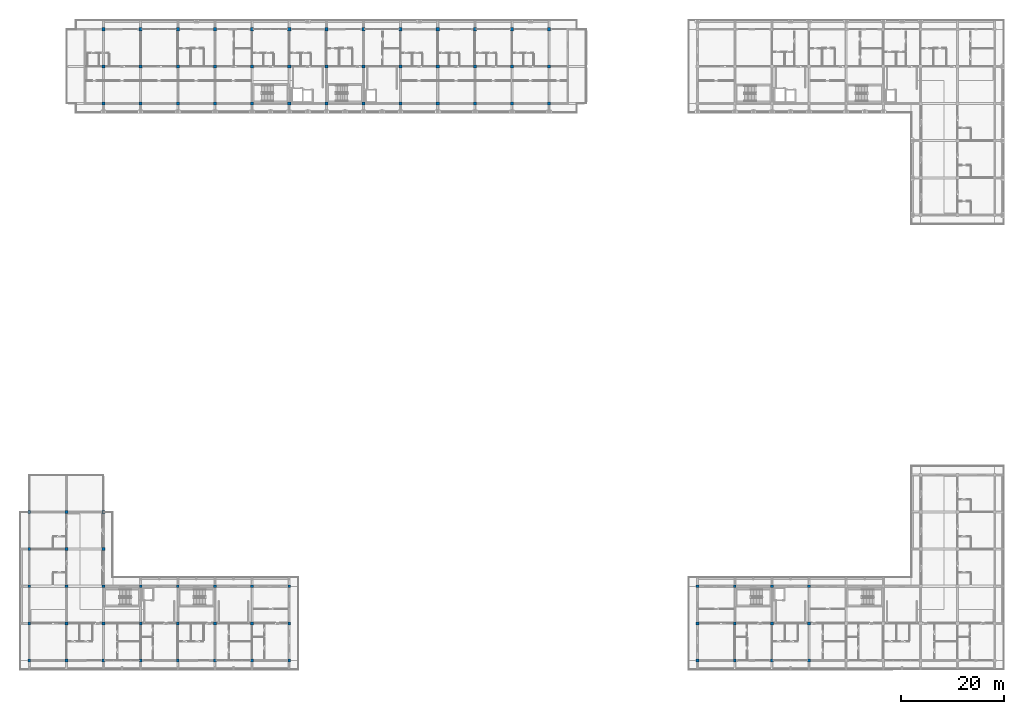
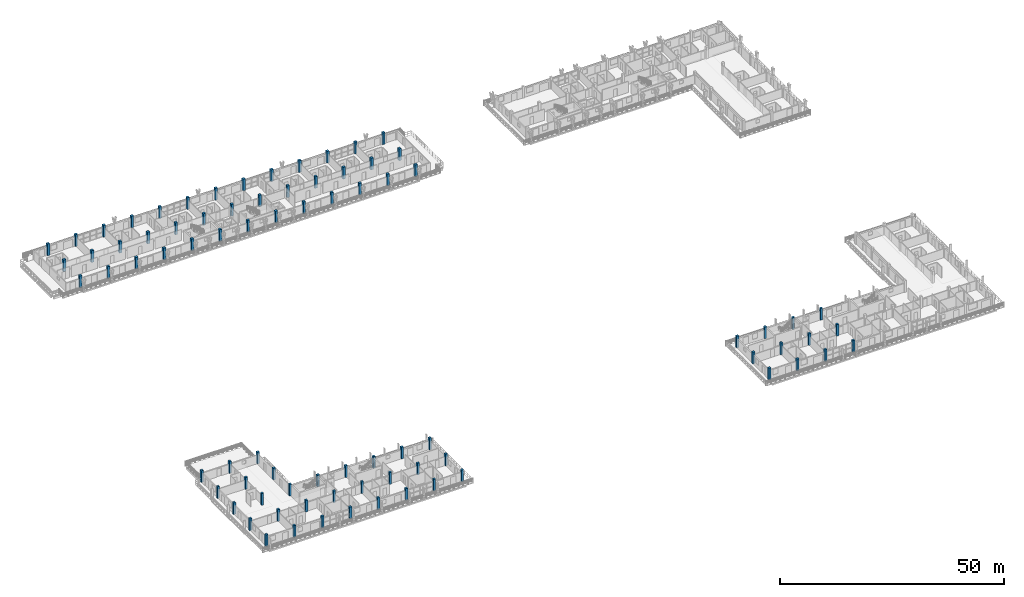
# One storey, part 1 of 67: 81 columns.
"""IFC4 building model written with IfcOpenShell, lengths in metres."""

import ifcopenshell
import ifcopenshell.guid

model = None  # the IFC model being written
_history = None  # IfcOwnerHistory: only IFC2X3 demands one
_inside = {}  # id of a spatial element -> (the spatial element, [elements in it])
_under = {}  # id of a project, library or spatial element -> (it, [spatial elements below it])
_declared = {}  # id of a project -> (the project, [libraries it declares])
_typed = {}  # id of a type object -> (the type object, [elements of that type])
_made_of = {}  # id of a material, layer set ... -> (it, [elements and type objects made of it])


def new_model(schema):
    """Start an empty IFC model of exactly this schema.

    Asked for "IFC4X3", IfcOpenShell would pick the latest addendum, in which some entities
    have other attributes; the version numbers below select the first issue.
    IFC2X3 requires an IfcOwnerHistory on every rooted entity: one is made here for all.
    """
    global model, _history
    if schema == "IFC4X3":
        model = ifcopenshell.file(schema_version=(4, 3, 0, 0))
    else:
        model = ifcopenshell.file(schema=schema)
    _inside.clear()
    _under.clear()
    _declared.clear()
    _typed.clear()
    _made_of.clear()
    _history = None
    if model.schema == "IFC2X3":
        org = make("IfcOrganization", Name="unknown")
        user = make(
            "IfcPersonAndOrganization",
            ThePerson=make("IfcPerson", FamilyName="unknown"),
            TheOrganization=org,
        )
        app = make(
            "IfcApplication",
            ApplicationDeveloper=org,
            Version="unknown",
            ApplicationFullName="unknown",
            ApplicationIdentifier="unknown",
        )
        _history = make(
            "IfcOwnerHistory",
            OwningUser=user,
            OwningApplication=app,
            ChangeAction="ADDED",
            CreationDate=0,
        )
    return model


def make(cls, **values):
    """One entity of the class cls with the attributes given. An attribute that is None is left unset."""
    return model.create_entity(
        cls, **{name: value for name, value in values.items() if value is not None}
    )


def rooted(cls, **values):
    """An entity with a GlobalId (a new one), such as an element, a storey or a relation."""
    return make(cls, GlobalId=ifcopenshell.guid.new(), OwnerHistory=_history, **values)


def si_unit(unit_type, name, prefix=None):
    """IfcSIUnit, for example si_unit("LENGTHUNIT", "METRE", prefix="MILLI")."""
    return make("IfcSIUnit", UnitType=unit_type, Prefix=prefix, Name=name)


def assignment(units):
    """IfcUnitAssignment: the units of a project."""
    return None if units is None else make("IfcUnitAssignment", Units=units)


def point(xyz):
    """IfcCartesianPoint."""
    return None if xyz is None else make("IfcCartesianPoint", Coordinates=xyz)


def direction(xyz):
    """IfcDirection."""
    return None if xyz is None else make("IfcDirection", DirectionRatios=xyz)


def frame(location, z_axis=None, x_axis=None):
    """IfcAxis2Placement3D, a coordinate frame: its origin and axes. An axis left out is left unset."""
    return make(
        "IfcAxis2Placement3D",
        Location=point(location),
        Axis=direction(z_axis),
        RefDirection=direction(x_axis),
    )


def frame_2d(location, x_axis=None):
    """IfcAxis2Placement2D, a coordinate frame in the plane: its origin and x axis."""
    return make(
        "IfcAxis2Placement2D", Location=point(location), RefDirection=direction(x_axis)
    )


def origin():
    """The frame at (0, 0, 0) with its axes left unset."""
    return frame((0.0, 0.0, 0.0))


def origin_2d():
    """The frame at (0, 0) in the plane with its x axis left unset."""
    return frame_2d((0.0, 0.0))


def place(relative_to, where):
    """IfcLocalPlacement: puts the frame where relative to a parent placement (None: the world)."""
    return make(
        "IfcLocalPlacement", PlacementRelTo=relative_to, RelativePlacement=where
    )


def context(
    kind, dimensions, precision=None, world=None, true_north=None, identifier=None
):
    """IfcGeometricRepresentationContext, for example the 3D "Model" context."""
    return make(
        "IfcGeometricRepresentationContext",
        ContextIdentifier=identifier,
        ContextType=kind,
        CoordinateSpaceDimension=dimensions,
        Precision=precision,
        WorldCoordinateSystem=world,
        TrueNorth=true_north,
    )


def subcontext(parent, identifier, kind, view, scale=None):
    """IfcGeometricRepresentationSubContext, for example "Body" below "Model"."""
    return make(
        "IfcGeometricRepresentationSubContext",
        ContextIdentifier=identifier,
        ContextType=kind,
        ParentContext=parent,
        TargetScale=scale,
        TargetView=view,
    )


def project(units=None, contexts=None):
    """IfcProject with its units and contexts."""
    return rooted(
        "IfcProject",
        Name="project",
        RepresentationContexts=contexts,
        UnitsInContext=assignment(units),
    )


def spatial(cls, under=None, at=None, **own):
    """A site, building, storey or space (cls), placed at a placement, below another one or the project."""
    s = rooted(cls, ObjectPlacement=at, **own)
    if under is not None:
        _under.setdefault(under.id(), (under, []))[1].append(s)
    return s


def profile(cls, at=None, kind="AREA", **sizes):
    """A parametric profile (cls). Its sizes go by their IFC names, for example OverallWidth=200.0."""
    return make(cls, ProfileType=kind, Position=at, **sizes)


def rectangle(**sizes):
    """IfcRectangleProfileDef."""
    return profile("IfcRectangleProfileDef", **sizes)


def extrude(swept, where, along, depth):
    """IfcExtrudedAreaSolid: the profile swept, set in the frame where, extruded along a direction by depth."""
    return make(
        "IfcExtrudedAreaSolid",
        SweptArea=swept,
        Position=where,
        ExtrudedDirection=direction(along),
        Depth=depth,
    )


def shape(context_of_items, identifier, shape_type, items):
    """IfcShapeRepresentation: the items that make up one representation, for example the "Body"."""
    return make(
        "IfcShapeRepresentation",
        ContextOfItems=context_of_items,
        RepresentationIdentifier=identifier,
        RepresentationType=shape_type,
        Items=items,
    )


def material(Name=None, Category=None):
    """IfcMaterial."""
    return make("IfcMaterial", Name=Name, Category=Category)


def material_profile(
    of_material, cross_section, Name=None, Category=None, Priority=None
):
    """IfcMaterialProfile: a cross section and its material."""
    return make(
        "IfcMaterialProfile",
        Name=Name,
        Material=of_material,
        Profile=cross_section,
        Priority=Priority,
        Category=Category,
    )


def profile_set(profiles, Name=None, composite=None):
    """IfcMaterialProfileSet."""
    return make(
        "IfcMaterialProfileSet",
        Name=Name,
        MaterialProfiles=profiles,
        CompositeProfile=composite,
    )


def made_of(thing, what):
    """Note that an element or type object is made of a material, layer set ...; save() writes the relation."""
    if what is not None:
        _made_of.setdefault(what.id(), (what, []))[1].append(thing)
    return thing


def type_object(cls, material=None, **own):
    """A type object (cls), such as IfcWallType, which elements share."""
    return made_of(rooted(cls, **own), material)


def element(
    cls,
    number,
    at=None,
    inside=None,
    cuts=None,
    type_object=None,
    material=None,
    context=None,
    identifier="Body",
    shape_type=None,
    held_by="IfcProductDefinitionShape",
    body=None,
    shapes=None,
    **own,
):
    """One element of the class cls, such as IfcWall. Its Tag is "e" and its number.

    at: its placement. inside: the storey or other place that contains it. cuts: it is an
    opening in that element (IfcRelVoidsElement). A single representation is given by context,
    identifier, shape_type and body (its items); several are given by shapes. held_by: the class
    of the entity that holds the representations. save() writes the other relations.
    """
    e = rooted(cls, Tag="e%d" % number, ObjectPlacement=at, **own)
    if body is not None:
        shapes = [shape(context, identifier, shape_type, body)]
    if shapes is not None:
        e.Representation = make(held_by, Representations=shapes)
    if inside is not None:
        _inside.setdefault(inside.id(), (inside, []))[1].append(e)
    if cuts is not None:
        rooted(
            "IfcRelVoidsElement", RelatingBuildingElement=cuts, RelatedOpeningElement=e
        )
    if type_object is not None:
        _typed.setdefault(type_object.id(), (type_object, []))[1].append(e)
    return made_of(e, material)


def aggregate(whole, parts):
    """IfcRelAggregates: a whole, such as a stair, and the parts it consists of."""
    return rooted("IfcRelAggregates", RelatingObject=whole, RelatedObjects=parts)


def save(model, path):
    """Write the relations noted so far, then the file.

    IfcRelAggregates (storeys below a building ...), IfcRelContainedInSpatialStructure (elements
    in a storey), IfcRelDefinesByType, IfcRelAssociatesMaterial and IfcRelDeclares: one each for
    every whole, place, type object, material and project.
    """
    for whole, parts in _under.values():
        aggregate(whole, parts)
    for where, things in _inside.values():
        rooted(
            "IfcRelContainedInSpatialStructure",
            RelatedElements=things,
            RelatingStructure=where,
        )
    for kind, things in _typed.values():
        rooted("IfcRelDefinesByType", RelatedObjects=things, RelatingType=kind)
    for what, things in _made_of.values():
        rooted("IfcRelAssociatesMaterial", RelatedObjects=things, RelatingMaterial=what)
    for by, libraries in _declared.values():
        rooted("IfcRelDeclares", RelatingContext=by, RelatedDefinitions=libraries)
    model.write(path)


model = new_model("IFC4")

# Units and contexts
model_context = context("Model", 3, precision=1e-05, world=origin(), true_north=direction((0.0, 1.0)))
body_context = subcontext(model_context, "Body", "Model", "MODEL_VIEW")
ifc_project = project(units=[si_unit("LENGTHUNIT", "METRE"), si_unit("AREAUNIT", "SQUARE_METRE"), si_unit("VOLUMEUNIT", "CUBIC_METRE"), si_unit("PLANEANGLEUNIT", "RADIAN"), si_unit("MASSUNIT", "GRAM", prefix="KILO")], contexts=[model_context])

# Site, building, storey
site_placement = place(None, origin())
site = spatial("IfcSite", under=ifc_project, at=site_placement, CompositionType="ELEMENT")
building_placement = place(site_placement, origin())
building = spatial("IfcBuilding", under=site, at=building_placement, Name="Suanplinth Sawtooth Commons", CompositionType="ELEMENT")
storey_placement = place(building_placement, frame((0.0, 0.0, 25.10009765625)))
storey = spatial("IfcBuildingStorey", under=building, at=storey_placement, Name="L07", CompositionType="ELEMENT", Elevation=25.10009765625)

# Columns
ifc_material = material(Name="Precast concrete C40/50", Category="concrete")
ifc_material_profile_1 = material_profile(ifc_material, rectangle(XDim=0.60009765625, YDim=0.60009765625, at=origin_2d()), Name="PC-COL 600x600")
ifc_profile_set_1 = profile_set([ifc_material_profile_1], Name="Precast concrete C40/50")
column_type_1 = type_object("IfcColumnType", Name="C-04", PredefinedType="COLUMN", material=ifc_profile_set_1)
for number, where, z_axis, x_axis, name in (
    (1, (14.39990234375, 108.0, 0.0), (0.0, 0.0, 1.0), (1.0, 0.0, 0.0), "Column L07 3/R"),
    (2, (14.39990234375, 115.199951171875, 0.0), (0.0, 0.0, 1.0), (1.0, 0.0, 0.0), "Column L07 3/S"),
    (3, (14.39990234375, 122.39990234375, 0.0), (0.0, 0.0, 1.0), (1.0, 0.0, 0.0), "Column L07 3/T"),
    (4, (21.60009765625, 108.0, 0.0), (0.0, 0.0, 1.0), (1.0, 0.0, 0.0), "Column L07 4/R"),
    (5, (21.60009765625, 115.199951171875, 0.0), (0.0, 0.0, 1.0), (1.0, 0.0, 0.0), "Column L07 4/S"),
    (6, (21.60009765625, 122.39990234375, 0.0), (0.0, 0.0, 1.0), (1.0, 0.0, 0.0), "Column L07 4/T"),
    (7, (28.800048828125, 108.0, 0.0), (0.0, 0.0, 1.0), (1.0, 0.0, 0.0), "Column L07 5/R"),
    (8, (28.800048828125, 115.199951171875, 0.0), (0.0, 0.0, 1.0), (1.0, 0.0, 0.0), "Column L07 5/S"),
    (9, (28.800048828125, 122.39990234375, 0.0), (0.0, 0.0, 1.0), (1.0, 0.0, 0.0), "Column L07 5/T"),
    (10, (36.0, 108.0, 0.0), (0.0, 0.0, 1.0), (1.0, 0.0, 0.0), "Column L07 6/R"),
    (11, (36.0, 115.199951171875, 0.0), (0.0, 0.0, 1.0), (1.0, 0.0, 0.0), "Column L07 6/S"),
    (12, (36.0, 122.39990234375, 0.0), (0.0, 0.0, 1.0), (1.0, 0.0, 0.0), "Column L07 6/T"),
    (13, (43.199951171875, 108.0, 0.0), (0.0, 0.0, 1.0), (1.0, 0.0, 0.0), "Column L07 7/R"),
    (14, (43.199951171875, 115.199951171875, 0.0), (0.0, 0.0, 1.0), (1.0, 0.0, 0.0), "Column L07 7/S"),
    (15, (43.199951171875, 122.39990234375, 0.0), (0.0, 0.0, 1.0), (1.0, 0.0, 0.0), "Column L07 7/T"),
    (16, (50.39990234375, 108.0, 0.0), (0.0, 0.0, 1.0), (1.0, 0.0, 0.0), "Column L07 8/R"),
    (17, (50.39990234375, 115.199951171875, 0.0), (0.0, 0.0, 1.0), (1.0, 0.0, 0.0), "Column L07 8/S"),
    (18, (50.39990234375, 122.39990234375, 0.0), (0.0, 0.0, 1.0), (1.0, 0.0, 0.0), "Column L07 8/T"),
    (19, (57.60009765625, 108.0, 0.0), (0.0, 0.0, 1.0), (1.0, 0.0, 0.0), "Column L07 9/R"),
    (20, (57.60009765625, 115.199951171875, 0.0), (0.0, 0.0, 1.0), (1.0, 0.0, 0.0), "Column L07 9/S"),
    (21, (57.60009765625, 122.39990234375, 0.0), (0.0, 0.0, 1.0), (1.0, 0.0, 0.0), "Column L07 9/T"),
    (22, (64.800048828125, 108.0, 0.0), (0.0, 0.0, 1.0), (1.0, 0.0, 0.0), "Column L07 10/R"),
    (23, (64.800048828125, 115.199951171875, 0.0), (0.0, 0.0, 1.0), (1.0, 0.0, 0.0), "Column L07 10/S"),
    (24, (64.800048828125, 122.39990234375, 0.0), (0.0, 0.0, 1.0), (1.0, 0.0, 0.0), "Column L07 10/T"),
    (25, (72.0, 108.0, 0.0), (0.0, 0.0, 1.0), (1.0, 0.0, 0.0), "Column L07 11/R"),
    (26, (72.0, 115.199951171875, 0.0), (0.0, 0.0, 1.0), (1.0, 0.0, 0.0), "Column L07 11/S"),
    (27, (72.0, 122.39990234375, 0.0), (0.0, 0.0, 1.0), (1.0, 0.0, 0.0), "Column L07 11/T"),
    (28, (79.199951171875, 108.0, 0.0), (0.0, 0.0, 1.0), (1.0, 0.0, 0.0), "Column L07 12/R"),
    (29, (79.199951171875, 115.199951171875, 0.0), (0.0, 0.0, 1.0), (1.0, 0.0, 0.0), "Column L07 12/S"),
    (30, (79.199951171875, 122.39990234375, 0.0), (0.0, 0.0, 1.0), (1.0, 0.0, 0.0), "Column L07 12/T"),
    (31, (86.39990234375, 108.0, 0.0), (0.0, 0.0, 1.0), (1.0, 0.0, 0.0), "Column L07 13/R"),
    (32, (86.39990234375, 115.199951171875, 0.0), (0.0, 0.0, 1.0), (1.0, 0.0, 0.0), "Column L07 13/S"),
    (33, (86.39990234375, 122.39990234375, 0.0), (0.0, 0.0, 1.0), (1.0, 0.0, 0.0), "Column L07 13/T"),
    (34, (93.60009765625, 108.0, 0.0), (0.0, 0.0, 1.0), (1.0, 0.0, 0.0), "Column L07 14/R"),
    (35, (93.60009765625, 115.199951171875, 0.0), (0.0, 0.0, 1.0), (1.0, 0.0, 0.0), "Column L07 14/S"),
    (36, (93.60009765625, 122.39990234375, 0.0), (0.0, 0.0, 1.0), (1.0, 0.0, 0.0), "Column L07 14/T"),
    (37, (100.800048828125, 108.0, 0.0), (0.0, 0.0, 1.0), (1.0, 0.0, 0.0), "Column L07 15/R"),
    (38, (100.800048828125, 115.199951171875, 0.0), (0.0, 0.0, 1.0), (1.0, 0.0, 0.0), "Column L07 15/S"),
    (39, (100.800048828125, 122.39990234375, 0.0), (0.0, 0.0, 1.0), (1.0, 0.0, 0.0), "Column L07 15/T"),
):
    element("IfcColumn", number, at=place(storey_placement, frame(where, z_axis=z_axis, x_axis=x_axis)), inside=storey, type_object=column_type_1, Name=name, PredefinedType="COLUMN", context=body_context, shape_type="SweptSolid", body=[
        extrude(rectangle(XDim=0.60009765625, YDim=0.60009765625, at=origin_2d()), origin(), (0.0, 0.0, 1.0), 3.199951171875),
    ])
ifc_material_profile_2 = material_profile(ifc_material, rectangle(XDim=0.550048828125, YDim=0.550048828125, at=origin_2d()), Name="PC-COL 550x550")
ifc_profile_set_2 = profile_set([ifc_material_profile_2], Name="Precast concrete C40/50")
column_type_2 = type_object("IfcColumnType", Name="C-05", PredefinedType="COLUMN", material=ifc_profile_set_2)
for number, where, z_axis, x_axis, name in (
    (40, (0.0, 0.0, 0.0), (0.0, 0.0, 1.0), (1.0, 0.0, 0.0), "Column L07 1/A"),
    (41, (0.0, 7.199951171875, 0.0), (0.0, 0.0, 1.0), (1.0, 0.0, 0.0), "Column L07 1/B"),
    (42, (0.0, 14.39990234375, 0.0), (0.0, 0.0, 1.0), (1.0, 0.0, 0.0), "Column L07 1/C"),
    (43, (0.0, 21.60009765625, 0.0), (0.0, 0.0, 1.0), (1.0, 0.0, 0.0), "Column L07 1/D"),
    (44, (0.0, 28.800048828125, 0.0), (0.0, 0.0, 1.0), (1.0, 0.0, 0.0), "Column L07 1/E"),
    (45, (7.199951171875, 0.0, 0.0), (0.0, 0.0, 1.0), (1.0, 0.0, 0.0), "Column L07 2/A"),
    (46, (7.199951171875, 7.199951171875, 0.0), (0.0, 0.0, 1.0), (1.0, 0.0, 0.0), "Column L07 2/B"),
    (47, (7.199951171875, 14.39990234375, 0.0), (0.0, 0.0, 1.0), (1.0, 0.0, 0.0), "Column L07 2/C"),
    (48, (7.199951171875, 21.60009765625, 0.0), (0.0, 0.0, 1.0), (1.0, 0.0, 0.0), "Column L07 2/D"),
    (49, (7.199951171875, 28.800048828125, 0.0), (0.0, 0.0, 1.0), (1.0, 0.0, 0.0), "Column L07 2/E"),
    (50, (14.39990234375, 0.0, 0.0), (0.0, 0.0, 1.0), (1.0, 0.0, 0.0), "Column L07 3/A"),
    (51, (14.39990234375, 7.199951171875, 0.0), (0.0, 0.0, 1.0), (1.0, 0.0, 0.0), "Column L07 3/B"),
    (52, (14.39990234375, 14.39990234375, 0.0), (0.0, 0.0, 1.0), (1.0, 0.0, 0.0), "Column L07 3/C"),
    (53, (14.39990234375, 21.60009765625, 0.0), (0.0, 0.0, 1.0), (1.0, 0.0, 0.0), "Column L07 3/D"),
    (54, (14.39990234375, 28.800048828125, 0.0), (0.0, 0.0, 1.0), (1.0, 0.0, 0.0), "Column L07 3/E"),
    (55, (21.60009765625, 0.0, 0.0), (0.0, 0.0, 1.0), (1.0, 0.0, 0.0), "Column L07 4/A"),
    (56, (21.60009765625, 7.199951171875, 0.0), (0.0, 0.0, 1.0), (1.0, 0.0, 0.0), "Column L07 4/B"),
    (57, (21.60009765625, 14.39990234375, 0.0), (0.0, 0.0, 1.0), (1.0, 0.0, 0.0), "Column L07 4/C"),
    (58, (28.800048828125, 0.0, 0.0), (0.0, 0.0, 1.0), (1.0, 0.0, 0.0), "Column L07 5/A"),
    (59, (28.800048828125, 7.199951171875, 0.0), (0.0, 0.0, 1.0), (1.0, 0.0, 0.0), "Column L07 5/B"),
    (60, (28.800048828125, 14.39990234375, 0.0), (0.0, 0.0, 1.0), (1.0, 0.0, 0.0), "Column L07 5/C"),
    (61, (36.0, 0.0, 0.0), (0.0, 0.0, 1.0), (1.0, 0.0, 0.0), "Column L07 6/A"),
    (62, (36.0, 7.199951171875, 0.0), (0.0, 0.0, 1.0), (1.0, 0.0, 0.0), "Column L07 6/B"),
    (63, (36.0, 14.39990234375, 0.0), (0.0, 0.0, 1.0), (1.0, 0.0, 0.0), "Column L07 6/C"),
    (64, (43.199951171875, 0.0, 0.0), (0.0, 0.0, 1.0), (1.0, 0.0, 0.0), "Column L07 7/A"),
    (65, (43.199951171875, 7.199951171875, 0.0), (0.0, 0.0, 1.0), (1.0, 0.0, 0.0), "Column L07 7/B"),
    (66, (43.199951171875, 14.39990234375, 0.0), (0.0, 0.0, 1.0), (1.0, 0.0, 0.0), "Column L07 7/C"),
    (67, (50.39990234375, 0.0, 0.0), (0.0, 0.0, 1.0), (1.0, 0.0, 0.0), "Column L07 8/A"),
    (68, (50.39990234375, 7.199951171875, 0.0), (0.0, 0.0, 1.0), (1.0, 0.0, 0.0), "Column L07 8/B"),
    (69, (50.39990234375, 14.39990234375, 0.0), (0.0, 0.0, 1.0), (1.0, 0.0, 0.0), "Column L07 8/C"),
    (70, (129.60009765625, 0.0, 0.0), (0.0, 0.0, 1.0), (1.0, 0.0, 0.0), "Column L07 19/A"),
    (71, (129.60009765625, 7.199951171875, 0.0), (0.0, 0.0, 1.0), (1.0, 0.0, 0.0), "Column L07 19/B"),
    (72, (129.60009765625, 14.39990234375, 0.0), (0.0, 0.0, 1.0), (1.0, 0.0, 0.0), "Column L07 19/C"),
    (73, (136.800048828125, 0.0, 0.0), (0.0, 0.0, 1.0), (1.0, 0.0, 0.0), "Column L07 20/A"),
    (74, (136.800048828125, 7.199951171875, 0.0), (0.0, 0.0, 1.0), (1.0, 0.0, 0.0), "Column L07 20/B"),
    (75, (136.800048828125, 14.39990234375, 0.0), (0.0, 0.0, 1.0), (1.0, 0.0, 0.0), "Column L07 20/C"),
    (76, (144.0, 0.0, 0.0), (0.0, 0.0, 1.0), (1.0, 0.0, 0.0), "Column L07 21/A"),
    (77, (144.0, 7.199951171875, 0.0), (0.0, 0.0, 1.0), (1.0, 0.0, 0.0), "Column L07 21/B"),
    (78, (144.0, 14.39990234375, 0.0), (0.0, 0.0, 1.0), (1.0, 0.0, 0.0), "Column L07 21/C"),
    (79, (151.199951171875, 0.0, 0.0), (0.0, 0.0, 1.0), (1.0, 0.0, 0.0), "Column L07 22/A"),
    (80, (151.199951171875, 7.199951171875, 0.0), (0.0, 0.0, 1.0), (1.0, 0.0, 0.0), "Column L07 22/B"),
    (81, (151.199951171875, 14.39990234375, 0.0), (0.0, 0.0, 1.0), (1.0, 0.0, 0.0), "Column L07 22/C"),
):
    element("IfcColumn", number, at=place(storey_placement, frame(where, z_axis=z_axis, x_axis=x_axis)), inside=storey, type_object=column_type_2, Name=name, PredefinedType="COLUMN", context=body_context, shape_type="SweptSolid", body=[
        extrude(rectangle(XDim=0.550048828125, YDim=0.550048828125, at=origin_2d()), origin(), (0.0, 0.0, 1.0), 3.199951171875),
    ])

save(model, "model.ifc")
